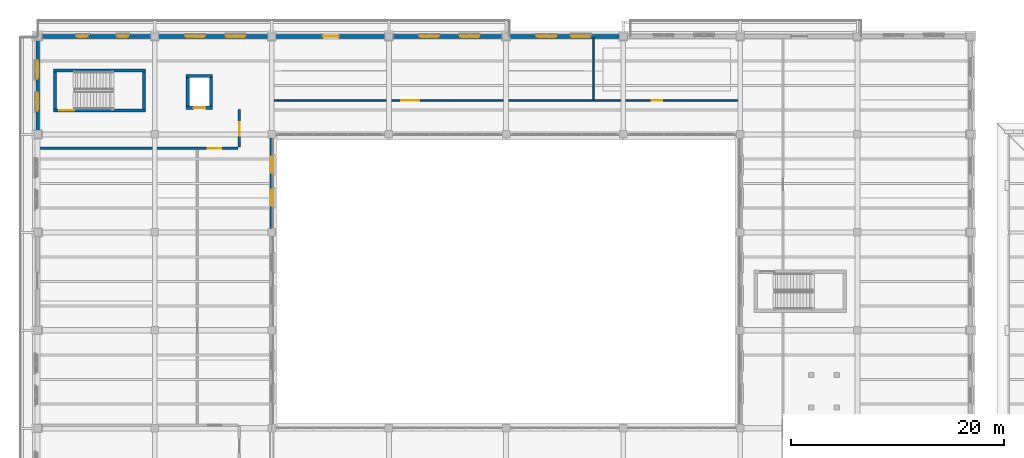
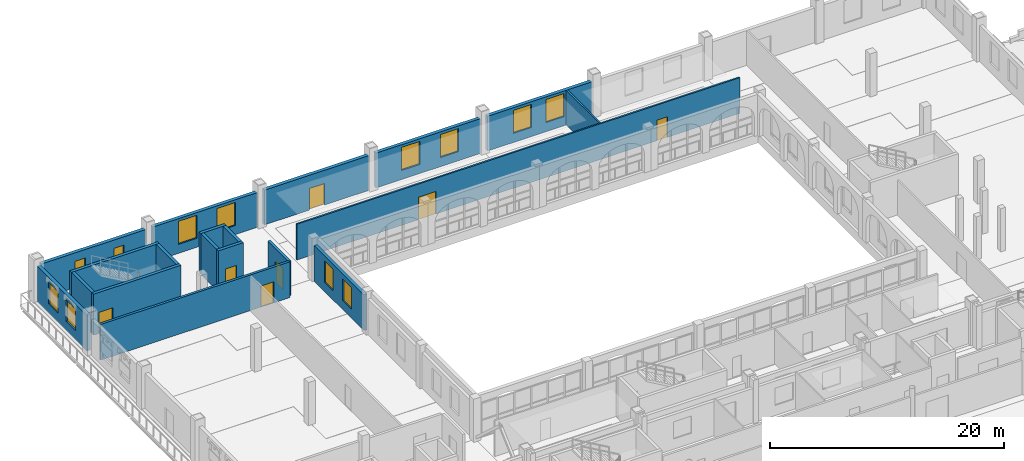
# One storey, part 124 of 156: 19 walls, 12 windows, 7 doors, 19 openings.
"""IFC4 building model written with IfcOpenShell, lengths in metres."""

from ifc_helpers import new_model, si_unit, direction, frame, frame_2d, origin, place, context, subcontext, project, spatial, rectangle, extrude, material, layer, layer_set, type_object, element, fill, save


model = new_model("IFC4")

# Units and contexts
model_context = context("Model", 3, precision=1e-05, world=origin(), true_north=direction((0.0, 1.0)))
body_context = subcontext(model_context, "Body", "Model", "MODEL_VIEW")
ifc_project = project(units=[si_unit("LENGTHUNIT", "METRE"), si_unit("AREAUNIT", "SQUARE_METRE"), si_unit("VOLUMEUNIT", "CUBIC_METRE"), si_unit("PLANEANGLEUNIT", "RADIAN"), si_unit("MASSUNIT", "GRAM", prefix="KILO")], contexts=[model_context])

# Site, building, storey
site_placement = place(None, origin())
site = spatial("IfcSite", under=ifc_project, at=site_placement, CompositionType="ELEMENT")
building_placement = place(site_placement, origin())
building = spatial("IfcBuilding", under=site, at=building_placement, Name="Caurita Quay Ferry Terminal", CompositionType="ELEMENT")
storey_placement = place(building_placement, frame((0.0, 0.0, 5.39990234375)))
storey = spatial("IfcBuildingStorey", under=building, at=storey_placement, Name="L01", CompositionType="ELEMENT", Elevation=5.39990234375)

# Wall, opening, door
ifc_material_1 = material(Name="Warm-white lime stucco masonry", Category="masonry")
ifc_layer_1 = layer(ifc_material_1, 0.239990234375, Name="Interior partitioning wall 240 mm")
ifc_layer_set_1 = layer_set([ifc_layer_1], Name="Warm-white lime stucco masonry")
wall_type_1 = type_object("IfcWallType", Name="WL-COMP-240", PredefinedType="PARTITIONING", material=ifc_layer_set_1)
wall_1_placement = place(storey_placement, frame((0.175048828125, 106.5, 0.0), z_axis=(0.0, 0.0, 1.0), x_axis=(1.0, 0.0, 0.0)))
wall_1 = element("IfcWall", 1, at=wall_1_placement, inside=storey, type_object=wall_type_1, Name="L01 Interior Partition IW-L01-060", PredefinedType="PARTITIONING", context=body_context, shape_type="SweptSolid", body=[
    extrude(rectangle(XDim=18.64990234375, YDim=0.239990234375, at=frame_2d((9.324951171875, 0.0))), origin(), (0.0, 0.0, 1.0), 3.72509765625),
])
opening_1_placement = place(wall_1_placement, frame((15.824951171875, 0.0, 0.0)))
opening_1 = element("IfcOpeningElement", 2, at=opening_1_placement, cuts=wall_1, Name="Opening FD-01", PredefinedType="OPENING", context=body_context, shape_type="SweptSolid", body=[
    extrude(rectangle(XDim=1.25, YDim=2.199951171875, at=frame_2d((0.625, 1.10009765625))), frame((0.0, 0.1298828125, 0.0), z_axis=(0.0, -1.0, 0.0), x_axis=(1.0, 0.0, 0.0)), (0.0, 0.0, 1.0), 0.260009765625),
])
ifc_material_2 = material(Name="Anodized aluminium 6063-T6", Category="aluminium")
door_type_1 = type_object("IfcDoorType", Name="DR-FF-1100", OperationType="NOTDEFINED", PredefinedType="DOOR", material=ifc_material_2)
door_1_placement = place(opening_1_placement, origin())
door_1 = element("IfcDoor", 3, at=door_1_placement, inside=storey, type_object=door_type_1, Name="Firefighting Lobby L01 North Door", OperationType="SINGLE_SWING_LEFT", OverallHeight=2.199951171875, OverallWidth=1.25, PredefinedType="DOOR", context=body_context, shape_type="SweptSolid", body=[
    extrude(rectangle(XDim=1.25, YDim=2.199951171875, at=frame_2d((0.625, 1.10009765625))), frame((0.0, 0.02490234375, 0.0), z_axis=(0.0, -1.0, 0.0), x_axis=(1.0, 0.0, 0.0)), (0.0, 0.0, 1.0), 0.050048828125),
])
fill(opening_1, door_1)

wall_2_placement = place(storey_placement, frame((18.949951171875, 106.625, 0.0), z_axis=(0.0, 0.0, 1.0), x_axis=(0.0, 1.0, 0.0)))
wall_2 = element("IfcWall", 4, at=wall_2_placement, inside=storey, type_object=wall_type_1, Name="L01 Interior Partition IW-L01-063", PredefinedType="PARTITIONING", context=body_context, shape_type="SweptSolid", body=[
    extrude(rectangle(XDim=3.52490234375, YDim=0.239990234375, at=frame_2d((1.762451171875, 0.0))), origin(), (0.0, 0.0, 1.0), 3.625),
])
opening_2_placement = place(wall_2_placement, frame((1.054931640625, 0.0, 0.0)))
opening_2 = element("IfcOpeningElement", 5, at=opening_2_placement, cuts=wall_2, Name="Opening FD-01", PredefinedType="OPENING", context=body_context, shape_type="SweptSolid", body=[
    extrude(rectangle(XDim=1.25, YDim=2.199951171875, at=frame_2d((0.625, 1.10009765625))), frame((0.0, 0.1298828125, 0.0), z_axis=(0.0, -1.0, 0.0), x_axis=(1.0, 0.0, 0.0)), (0.0, 0.0, 1.0), 0.260009765625),
])
door_2_placement = place(opening_2_placement, frame((1.25, 0.0, 0.0), z_axis=(0.0, 0.0, 1.0), x_axis=(-1.0, 0.0, 0.0)))
door_2 = element("IfcDoor", 6, at=door_2_placement, inside=storey, type_object=door_type_1, Name="Firefighting Lobby L01 North East Door", OperationType="SINGLE_SWING_RIGHT", OverallHeight=2.199951171875, OverallWidth=1.25, PredefinedType="DOOR", context=body_context, shape_type="SweptSolid", body=[
    extrude(rectangle(XDim=1.25, YDim=2.199951171875, at=frame_2d((0.625, 1.10009765625))), frame((0.0, 0.02490234375, 0.0), z_axis=(0.0, -1.0, 0.0), x_axis=(1.0, 0.0, 0.0)), (0.0, 0.0, 1.0), 0.050048828125),
])
fill(opening_2, door_2)

ifc_material_3 = material(Name="Reinforced concrete C35/45", Category="concrete")
ifc_layer_2 = layer(ifc_material_3, 0.300048828125, Name="Interior shear wall 300 mm")
ifc_layer_set_2 = layer_set([ifc_layer_2], Name="Reinforced concrete C35/45")
wall_type_2 = type_object("IfcWallType", Name="WL-CORE-300", PredefinedType="SHEAR", material=ifc_layer_set_2)
wall_3_placement = place(storey_placement, frame((1.5, 110.050048828125, 0.0), z_axis=(0.0, 0.0, 1.0), x_axis=(1.0, 0.0, 0.0)))
wall_3 = element("IfcWall", 7, at=wall_3_placement, inside=storey, type_object=wall_type_2, Name="L01 ST-01 Core Wall South", PredefinedType="SHEAR", context=body_context, shape_type="SweptSolid", body=[
    extrude(rectangle(XDim=8.64990234375, YDim=0.300048828125, at=frame_2d((4.324951171875, 0.0))), origin(), (0.0, 0.0, 1.0), 4.280029296875),
])
opening_3_placement = place(wall_3_placement, frame((0.550048828125, 0.0, 0.0)))
opening_3 = element("IfcOpeningElement", 8, at=opening_3_placement, cuts=wall_3, Name="Opening SD-01", PredefinedType="OPENING", context=body_context, shape_type="SweptSolid", body=[
    extrude(rectangle(XDim=1.35009765625, YDim=2.199951171875, at=frame_2d((0.675048828125, 1.10009765625))), frame((0.0, 0.159912109375, 0.0), z_axis=(0.0, -1.0, 0.0), x_axis=(1.0, 0.0, 0.0)), (0.0, 0.0, 1.0), 0.320068359375),
])
door_type_2 = type_object("IfcDoorType", Name="DR-ST-1200", OperationType="NOTDEFINED", PredefinedType="DOOR", material=ifc_material_2)
door_3_placement = place(opening_3_placement, origin())
door_3 = element("IfcDoor", 9, at=door_3_placement, inside=storey, type_object=door_type_2, Name="L01 Exit Stair ST-01 Fire Door", OperationType="SINGLE_SWING_RIGHT", OverallHeight=2.199951171875, OverallWidth=1.35009765625, PredefinedType="DOOR", context=body_context, shape_type="SweptSolid", body=[
    extrude(rectangle(XDim=1.35009765625, YDim=2.199951171875, at=frame_2d((0.675048828125, 1.10009765625))), frame((0.0, 0.02490234375, 0.0), z_axis=(0.0, -1.0, 0.0), x_axis=(1.0, 0.0, 0.0)), (0.0, 0.0, 1.0), 0.050048828125),
])
fill(opening_3, door_3)

# Walls
wall_4_placement = place(storey_placement, frame((10.14990234375, 113.81005859375, 0.0), z_axis=(0.0, 0.0, 1.0), x_axis=(-1.0, 0.0, 0.0)))
element("IfcWall", 10, at=wall_4_placement, inside=storey, type_object=wall_type_2, Name="L01 ST-01 Core Wall North", PredefinedType="SHEAR", context=body_context, shape_type="SweptSolid", body=[
    extrude(rectangle(XDim=8.64990234375, YDim=0.300048828125, at=frame_2d((4.324951171875, 0.0))), origin(), (0.0, 0.0, 1.0), 4.280029296875),
])
for number, where, z_axis, x_axis, name in (
    (11, (1.64990234375, 113.659912109375, 0.0), (0.0, 0.0, 1.0), (0.0, -1.0, 0.0), "L01 ST-01 Core Wall West"),
    (12, (10.0, 110.199951171875, 0.0), (0.0, 0.0, 1.0), (0.0, 1.0, 0.0), "L01 ST-01 Core Wall East"),
):
    element("IfcWall", number, at=place(storey_placement, frame(where, z_axis=z_axis, x_axis=x_axis)), inside=storey, type_object=wall_type_2, Name=name, PredefinedType="SHEAR", context=body_context, shape_type="SweptSolid", body=[
        extrude(rectangle(XDim=3.4599609375, YDim=0.300048828125, at=frame_2d((1.72998046875, 0.0))), origin(), (0.0, 0.0, 1.0), 4.280029296875),
    ])

# Wall, opening, door
wall_5_placement = place(storey_placement, frame((13.955078125, 110.304931640625, 0.0), z_axis=(0.0, 0.0, 1.0), x_axis=(1.0, 0.0, 0.0)))
wall_5 = element("IfcWall", 13, at=wall_5_placement, inside=storey, type_object=wall_type_2, Name="L01 Lift LF-01 Shaft Wall South", PredefinedType="SHEAR", context=body_context, shape_type="SweptSolid", body=[
    extrude(rectangle(XDim=2.489990234375, YDim=0.300048828125, at=frame_2d((1.2451171875, 0.0))), origin(), (0.0, 0.0, 1.0), 4.280029296875),
])
opening_4_placement = place(wall_5_placement, frame((0.695068359375, 0.0, 0.0)))
opening_4 = element("IfcOpeningElement", 14, at=opening_4_placement, cuts=wall_5, Name="Opening LD-01", PredefinedType="OPENING", context=body_context, shape_type="SweptSolid", body=[
    extrude(rectangle(XDim=1.10009765625, YDim=2.14990234375, at=frame_2d((0.550048828125, 1.074951171875))), frame((0.0, 0.159912109375, 0.0), z_axis=(0.0, -1.0, 0.0), x_axis=(1.0, 0.0, 0.0)), (0.0, 0.0, 1.0), 0.320068359375),
])
ifc_material_4 = material(Name="Bronze architectural metalwork", Category="metal")
door_type_3 = type_object("IfcDoorType", Name="DR-LD-01", OperationType="DOUBLE_DOOR_SLIDING", PredefinedType="DOOR", material=ifc_material_4)
door_4_placement = place(opening_4_placement, frame((1.10009765625, 0.0, 0.0), z_axis=(0.0, 0.0, 1.0), x_axis=(-1.0, 0.0, 0.0)))
door_4 = element("IfcDoor", 15, at=door_4_placement, inside=storey, type_object=door_type_3, Name="L01 Lift LF-01 Sliding Landing Door", OperationType="DOUBLE_DOOR_SLIDING", OverallHeight=2.14990234375, OverallWidth=1.10009765625, PredefinedType="DOOR", context=body_context, shape_type="SweptSolid", body=[
    extrude(rectangle(XDim=1.10009765625, YDim=2.14990234375, at=frame_2d((0.550048828125, 1.074951171875))), frame((0.0, 0.02490234375, 0.0), z_axis=(0.0, -1.0, 0.0), x_axis=(1.0, 0.0, 0.0)), (0.0, 0.0, 1.0), 0.050048828125),
])
fill(opening_4, door_4)

# Walls
wall_6_placement = place(storey_placement, frame((16.445068359375, 113.294921875, 0.0), z_axis=(0.0, 0.0, 1.0), x_axis=(-1.0, 0.0, 0.0)))
element("IfcWall", 16, at=wall_6_placement, inside=storey, type_object=wall_type_2, Name="L01 Lift LF-01 Shaft Wall North", PredefinedType="SHEAR", context=body_context, shape_type="SweptSolid", body=[
    extrude(rectangle(XDim=2.489990234375, YDim=0.300048828125, at=frame_2d((1.2451171875, 0.0))), origin(), (0.0, 0.0, 1.0), 4.280029296875),
])
for number, where, z_axis, x_axis, name in (
    (17, (14.10498046875, 113.14501953125, 0.0), (0.0, 0.0, 1.0), (0.0, -1.0, 0.0), "L01 Lift LF-01 Shaft Wall West"),
    (18, (16.294921875, 110.455078125, 0.0), (0.0, 0.0, 1.0), (0.0, 1.0, 0.0), "L01 Lift LF-01 Shaft Wall East"),
):
    element("IfcWall", number, at=place(storey_placement, frame(where, z_axis=z_axis, x_axis=x_axis)), inside=storey, type_object=wall_type_2, Name=name, PredefinedType="SHEAR", context=body_context, shape_type="SweptSolid", body=[
        extrude(rectangle(XDim=2.68994140625, YDim=0.300048828125, at=frame_2d((1.344970703125, 0.0))), origin(), (0.0, 0.0, 1.0), 4.280029296875),
    ])

# Wall, openings, windows
ifc_layer_3 = layer(ifc_material_1, 0.31005859375, Name="Exterior solidwall wall 310 mm")
ifc_layer_set_3 = layer_set([ifc_layer_3], Name="Warm-white lime stucco masonry")
wall_type_3 = type_object("IfcWallType", Name="WL-EXT-310", PredefinedType="SOLIDWALL", material=ifc_layer_set_3)
wall_7_placement = place(storey_placement, frame((22.0, 98.947998046875, 0.0), z_axis=(0.0, 0.0, 1.0), x_axis=(0.0, 1.0, 0.0)))
wall_7 = element("IfcWall", 19, at=wall_7_placement, inside=storey, type_object=wall_type_3, Name="L01 Exterior Wall EW-L01-130", PredefinedType="SOLIDWALL", context=body_context, shape_type="SweptSolid", body=[
    extrude(rectangle(XDim=8.50390625, YDim=0.31005859375, at=frame_2d((4.251953125, 0.0))), origin(), (0.0, 0.0, 1.0), 3.72509765625),
])
opening_5_placement = place(wall_7_placement, frame((2.152099609375, 0.0, 0.949951171875)))
opening_5 = element("IfcOpeningElement", 20, at=opening_5_placement, cuts=wall_7, Name="Opening W-07", PredefinedType="OPENING", context=body_context, shape_type="SweptSolid", body=[
    extrude(rectangle(XDim=1.5, YDim=2.25, at=frame_2d((0.75, 1.125))), frame((0.0, 0.1650390625, 0.0), z_axis=(0.0, -1.0, 0.0), x_axis=(1.0, 0.0, 0.0)), (0.0, 0.0, 1.0), 0.330078125),
])
opening_6_placement = place(wall_7_placement, frame((5.251953125, 0.0, 0.949951171875)))
opening_6 = element("IfcOpeningElement", 21, at=opening_6_placement, cuts=wall_7, Name="Opening W-07", PredefinedType="OPENING", context=body_context, shape_type="SweptSolid", body=[
    extrude(rectangle(XDim=1.5, YDim=2.25, at=frame_2d((0.75, 1.125))), frame((0.0, 0.1650390625, 0.0), z_axis=(0.0, -1.0, 0.0), x_axis=(1.0, 0.0, 0.0)), (0.0, 0.0, 1.0), 0.330078125),
])
ifc_material_5 = material(Name="Laminated solar-control insulated glass", Category="glass")
window_type_1 = type_object("IfcWindowType", Name="WIN-SC-1522", PartitioningType="SINGLE_PANEL", PredefinedType="WINDOW", material=ifc_material_5)
window_1_placement = place(opening_5_placement, origin())
window_1 = element("IfcWindow", 22, at=window_1_placement, inside=storey, type_object=window_type_1, Name="L01 Casement Window WN-L01-199", OverallHeight=2.25, OverallWidth=1.5, PartitioningType="SINGLE_PANEL", PredefinedType="WINDOW", context=body_context, shape_type="SweptSolid", body=[
    extrude(rectangle(XDim=1.5, YDim=2.25, at=frame_2d((0.75, 1.125))), frame((0.0, 0.030029296875, 0.0), z_axis=(0.0, -1.0, 0.0), x_axis=(1.0, 0.0, 0.0)), (0.0, 0.0, 1.0), 0.06005859375),
])
fill(opening_5, window_1)
window_2_placement = place(opening_6_placement, origin())
window_2 = element("IfcWindow", 23, at=window_2_placement, inside=storey, type_object=window_type_1, Name="L01 Casement Window WN-L01-200", OverallHeight=2.25, OverallWidth=1.5, PartitioningType="SINGLE_PANEL", PredefinedType="WINDOW", context=body_context, shape_type="SweptSolid", body=[
    extrude(rectangle(XDim=1.5, YDim=2.25, at=frame_2d((0.75, 1.125))), frame((0.0, 0.030029296875, 0.0), z_axis=(0.0, -1.0, 0.0), x_axis=(1.0, 0.0, 0.0)), (0.0, 0.0, 1.0), 0.06005859375),
])
fill(opening_6, window_2)

ifc_layer_4 = layer(ifc_material_1, 0.340087890625, Name="Exterior solidwall wall 340 mm")
ifc_layer_set_4 = layer_set([ifc_layer_4], Name="Warm-white lime stucco masonry")
wall_type_4 = type_object("IfcWallType", Name="WL-EXT-340", PredefinedType="SOLIDWALL", material=ifc_layer_set_4)
wall_8_placement = place(storey_placement, frame((10.652099609375, 117.0, 0.0), z_axis=(0.0, 0.0, 1.0), x_axis=(-1.0, 0.0, 0.0)))
wall_8 = element("IfcWall", 24, at=wall_8_placement, inside=storey, type_object=wall_type_4, Name="L01 Exterior Wall EW-L01-009", PredefinedType="SOLIDWALL", context=body_context, shape_type="SweptSolid", body=[
    extrude(rectangle(XDim=10.30419921875, YDim=0.340087890625, at=frame_2d((5.152099609375, 0.0))), origin(), (0.0, 0.0, 1.0), 3.625),
])
opening_7_placement = place(wall_8_placement, frame((2.152099609375, 0.0, 0.949951171875)))
opening_7 = element("IfcOpeningElement", 25, at=opening_7_placement, cuts=wall_8, Name="Opening W-02", PredefinedType="OPENING", context=body_context, shape_type="SweptSolid", body=[
    extrude(rectangle(XDim=1.0, YDim=1.800048828125, at=frame_2d((0.5, 0.89990234375))), frame((0.0, 0.179931640625, 0.0), z_axis=(0.0, -1.0, 0.0), x_axis=(1.0, 0.0, 0.0)), (0.0, 0.0, 1.0), 0.360107421875),
])
opening_8_placement = place(wall_8_placement, frame((5.951904296875, 0.0, 0.949951171875)))
opening_8 = element("IfcOpeningElement", 26, at=opening_8_placement, cuts=wall_8, Name="Opening W-02", PredefinedType="OPENING", context=body_context, shape_type="SweptSolid", body=[
    extrude(rectangle(XDim=1.0, YDim=1.800048828125, at=frame_2d((0.5, 0.89990234375))), frame((0.0, 0.179931640625, 0.0), z_axis=(0.0, -1.0, 0.0), x_axis=(1.0, 0.0, 0.0)), (0.0, 0.0, 1.0), 0.360107421875),
])
window_type_2 = type_object("IfcWindowType", Name="WIN-SC-1018", PartitioningType="SINGLE_PANEL", PredefinedType="WINDOW", material=ifc_material_5)
window_3_placement = place(opening_7_placement, origin())
window_3 = element("IfcWindow", 27, at=window_3_placement, inside=storey, type_object=window_type_2, Name="L01 Casement Window WN-L01-009", OverallHeight=1.800048828125, OverallWidth=1.0, PartitioningType="SINGLE_PANEL", PredefinedType="WINDOW", context=body_context, shape_type="SweptSolid", body=[
    extrude(rectangle(XDim=1.0, YDim=1.800048828125, at=frame_2d((0.5, 0.89990234375))), frame((0.0, 0.030029296875, 0.0), z_axis=(0.0, -1.0, 0.0), x_axis=(1.0, 0.0, 0.0)), (0.0, 0.0, 1.0), 0.06005859375),
])
fill(opening_7, window_3)
window_4_placement = place(opening_8_placement, origin())
window_4 = element("IfcWindow", 28, at=window_4_placement, inside=storey, type_object=window_type_2, Name="L01 Casement Window WN-L01-010", OverallHeight=1.800048828125, OverallWidth=1.0, PartitioningType="SINGLE_PANEL", PredefinedType="WINDOW", context=body_context, shape_type="SweptSolid", body=[
    extrude(rectangle(XDim=1.0, YDim=1.800048828125, at=frame_2d((0.5, 0.89990234375))), frame((0.0, 0.030029296875, 0.0), z_axis=(0.0, -1.0, 0.0), x_axis=(1.0, 0.0, 0.0)), (0.0, 0.0, 1.0), 0.06005859375),
])
fill(opening_8, window_4)

wall_9_placement = place(storey_placement, frame((21.652099609375, 117.0, 0.0), z_axis=(0.0, 0.0, 1.0), x_axis=(-1.0, 0.0, 0.0)))
wall_9 = element("IfcWall", 29, at=wall_9_placement, inside=storey, type_object=wall_type_4, Name="L01 Exterior Wall EW-L01-010", PredefinedType="SOLIDWALL", context=body_context, shape_type="SweptSolid", body=[
    extrude(rectangle(XDim=10.30419921875, YDim=0.340087890625, at=frame_2d((5.152099609375, 0.0))), origin(), (0.0, 0.0, 1.0), 3.625),
])
opening_9_placement = place(wall_9_placement, frame((2.152099609375, 0.0, 0.949951171875)))
opening_9 = element("IfcOpeningElement", 30, at=opening_9_placement, cuts=wall_9, Name="Opening W-10", PredefinedType="OPENING", context=body_context, shape_type="SweptSolid", body=[
    extrude(rectangle(XDim=1.800048828125, YDim=2.39990234375, at=frame_2d((0.89990234375, 1.199951171875))), frame((0.0, 0.179931640625, 0.0), z_axis=(0.0, -1.0, 0.0), x_axis=(1.0, 0.0, 0.0)), (0.0, 0.0, 1.0), 0.360107421875),
])
opening_10_placement = place(wall_9_placement, frame((5.951904296875, 0.0, 0.949951171875)))
opening_10 = element("IfcOpeningElement", 31, at=opening_10_placement, cuts=wall_9, Name="Opening W-10", PredefinedType="OPENING", context=body_context, shape_type="SweptSolid", body=[
    extrude(rectangle(XDim=1.800048828125, YDim=2.39990234375, at=frame_2d((0.89990234375, 1.199951171875))), frame((0.0, 0.179931640625, 0.0), z_axis=(0.0, -1.0, 0.0), x_axis=(1.0, 0.0, 0.0)), (0.0, 0.0, 1.0), 0.360107421875),
])
window_type_3 = type_object("IfcWindowType", Name="WIN-SC-1824", PartitioningType="SINGLE_PANEL", PredefinedType="WINDOW", material=ifc_material_5)
window_5_placement = place(opening_9_placement, origin())
window_5 = element("IfcWindow", 32, at=window_5_placement, inside=storey, type_object=window_type_3, Name="L01 Casement Window WN-L01-011", OverallHeight=2.39990234375, OverallWidth=1.800048828125, PartitioningType="SINGLE_PANEL", PredefinedType="WINDOW", context=body_context, shape_type="SweptSolid", body=[
    extrude(rectangle(XDim=1.800048828125, YDim=2.39990234375, at=frame_2d((0.89990234375, 1.199951171875))), frame((0.0, 0.030029296875, 0.0), z_axis=(0.0, -1.0, 0.0), x_axis=(1.0, 0.0, 0.0)), (0.0, 0.0, 1.0), 0.06005859375),
])
fill(opening_9, window_5)
window_6_placement = place(opening_10_placement, origin())
window_6 = element("IfcWindow", 33, at=window_6_placement, inside=storey, type_object=window_type_3, Name="L01 Casement Window WN-L01-012", OverallHeight=2.39990234375, OverallWidth=1.800048828125, PartitioningType="SINGLE_PANEL", PredefinedType="WINDOW", context=body_context, shape_type="SweptSolid", body=[
    extrude(rectangle(XDim=1.800048828125, YDim=2.39990234375, at=frame_2d((0.89990234375, 1.199951171875))), frame((0.0, 0.030029296875, 0.0), z_axis=(0.0, -1.0, 0.0), x_axis=(1.0, 0.0, 0.0)), (0.0, 0.0, 1.0), 0.06005859375),
])
fill(opening_10, window_6)

# Wall, opening, door
wall_10_placement = place(storey_placement, frame((32.652099609375, 117.0, 0.0), z_axis=(0.0, 0.0, 1.0), x_axis=(-1.0, 0.0, 0.0)))
wall_10 = element("IfcWall", 34, at=wall_10_placement, inside=storey, type_object=wall_type_4, Name="L01 Exterior Wall EW-L01-011", PredefinedType="SOLIDWALL", context=body_context, shape_type="SweptSolid", body=[
    extrude(rectangle(XDim=10.30419921875, YDim=0.340087890625, at=frame_2d((5.152099609375, 0.0))), origin(), (0.0, 0.0, 1.0), 3.625),
])
opening_11_placement = place(wall_10_placement, frame((4.35205078125, 0.0, 0.0)))
opening_11 = element("IfcOpeningElement", 35, at=opening_11_placement, cuts=wall_10, Name="Opening TD-02", PredefinedType="OPENING", context=body_context, shape_type="SweptSolid", body=[
    extrude(rectangle(XDim=1.5, YDim=2.25, at=frame_2d((0.75, 1.125))), frame((0.0, 0.179931640625, 0.0), z_axis=(0.0, -1.0, 0.0), x_axis=(1.0, 0.0, 0.0)), (0.0, 0.0, 1.0), 0.360107421875),
])
door_type_4 = type_object("IfcDoorType", Name="DR-TER-1522", OperationType="NOTDEFINED", PredefinedType="DOOR", material=ifc_material_2)
door_5_placement = place(opening_11_placement, frame((1.5, 0.0, 0.0), z_axis=(0.0, 0.0, 1.0), x_axis=(-1.0, 0.0, 0.0)))
door_5 = element("IfcDoor", 36, at=door_5_placement, inside=storey, type_object=door_type_4, Name="L01 North Portales Balcony Door TD-BN2", OperationType="SINGLE_SWING_LEFT", OverallHeight=2.25, OverallWidth=1.5, PredefinedType="DOOR", context=body_context, shape_type="SweptSolid", body=[
    extrude(rectangle(XDim=1.5, YDim=2.25, at=frame_2d((0.75, 1.125))), frame((0.0, 0.02490234375, 0.0), z_axis=(0.0, -1.0, 0.0), x_axis=(1.0, 0.0, 0.0)), (0.0, 0.0, 1.0), 0.050048828125),
])
fill(opening_11, door_5)

# Wall, openings, windows
wall_11_placement = place(storey_placement, frame((43.652099609375, 117.0, 0.0), z_axis=(0.0, 0.0, 1.0), x_axis=(-1.0, 0.0, 0.0)))
wall_11 = element("IfcWall", 37, at=wall_11_placement, inside=storey, type_object=wall_type_4, Name="L01 Exterior Wall EW-L01-012", PredefinedType="SOLIDWALL", context=body_context, shape_type="SweptSolid", body=[
    extrude(rectangle(XDim=10.30419921875, YDim=0.340087890625, at=frame_2d((5.152099609375, 0.0))), origin(), (0.0, 0.0, 1.0), 3.625),
])
opening_12_placement = place(wall_11_placement, frame((2.152099609375, 0.0, 0.949951171875)))
opening_12 = element("IfcOpeningElement", 38, at=opening_12_placement, cuts=wall_11, Name="Opening W-10", PredefinedType="OPENING", context=body_context, shape_type="SweptSolid", body=[
    extrude(rectangle(XDim=1.800048828125, YDim=2.39990234375, at=frame_2d((0.89990234375, 1.199951171875))), frame((0.0, 0.179931640625, 0.0), z_axis=(0.0, -1.0, 0.0), x_axis=(1.0, 0.0, 0.0)), (0.0, 0.0, 1.0), 0.360107421875),
])
opening_13_placement = place(wall_11_placement, frame((5.951904296875, 0.0, 0.949951171875)))
opening_13 = element("IfcOpeningElement", 39, at=opening_13_placement, cuts=wall_11, Name="Opening W-10", PredefinedType="OPENING", context=body_context, shape_type="SweptSolid", body=[
    extrude(rectangle(XDim=1.800048828125, YDim=2.39990234375, at=frame_2d((0.89990234375, 1.199951171875))), frame((0.0, 0.179931640625, 0.0), z_axis=(0.0, -1.0, 0.0), x_axis=(1.0, 0.0, 0.0)), (0.0, 0.0, 1.0), 0.360107421875),
])
window_7_placement = place(opening_12_placement, origin())
window_7 = element("IfcWindow", 40, at=window_7_placement, inside=storey, type_object=window_type_3, Name="L01 Casement Window WN-L01-013", OverallHeight=2.39990234375, OverallWidth=1.800048828125, PartitioningType="SINGLE_PANEL", PredefinedType="WINDOW", context=body_context, shape_type="SweptSolid", body=[
    extrude(rectangle(XDim=1.800048828125, YDim=2.39990234375, at=frame_2d((0.89990234375, 1.199951171875))), frame((0.0, 0.030029296875, 0.0), z_axis=(0.0, -1.0, 0.0), x_axis=(1.0, 0.0, 0.0)), (0.0, 0.0, 1.0), 0.06005859375),
])
fill(opening_12, window_7)
window_8_placement = place(opening_13_placement, origin())
window_8 = element("IfcWindow", 41, at=window_8_placement, inside=storey, type_object=window_type_3, Name="L01 Casement Window WN-L01-014", OverallHeight=2.39990234375, OverallWidth=1.800048828125, PartitioningType="SINGLE_PANEL", PredefinedType="WINDOW", context=body_context, shape_type="SweptSolid", body=[
    extrude(rectangle(XDim=1.800048828125, YDim=2.39990234375, at=frame_2d((0.89990234375, 1.199951171875))), frame((0.0, 0.030029296875, 0.0), z_axis=(0.0, -1.0, 0.0), x_axis=(1.0, 0.0, 0.0)), (0.0, 0.0, 1.0), 0.06005859375),
])
fill(opening_13, window_8)

wall_12_placement = place(storey_placement, frame((54.652099609375, 117.0, 0.0), z_axis=(0.0, 0.0, 1.0), x_axis=(-1.0, 0.0, 0.0)))
wall_12 = element("IfcWall", 42, at=wall_12_placement, inside=storey, type_object=wall_type_4, Name="L01 Exterior Wall EW-L01-013", PredefinedType="SOLIDWALL", context=body_context, shape_type="SweptSolid", body=[
    extrude(rectangle(XDim=10.30419921875, YDim=0.340087890625, at=frame_2d((5.152099609375, 0.0))), origin(), (0.0, 0.0, 1.0), 3.625),
])
opening_14_placement = place(wall_12_placement, frame((2.73193359375, 0.0, 0.949951171875)))
opening_14 = element("IfcOpeningElement", 43, at=opening_14_placement, cuts=wall_12, Name="Opening W-10", PredefinedType="OPENING", context=body_context, shape_type="SweptSolid", body=[
    extrude(rectangle(XDim=1.800048828125, YDim=2.39990234375, at=frame_2d((0.89990234375, 1.199951171875))), frame((0.0, 0.179931640625, 0.0), z_axis=(0.0, -1.0, 0.0), x_axis=(1.0, 0.0, 0.0)), (0.0, 0.0, 1.0), 0.360107421875),
])
opening_15_placement = place(wall_12_placement, frame((5.951904296875, 0.0, 0.949951171875)))
opening_15 = element("IfcOpeningElement", 44, at=opening_15_placement, cuts=wall_12, Name="Opening W-10", PredefinedType="OPENING", context=body_context, shape_type="SweptSolid", body=[
    extrude(rectangle(XDim=1.800048828125, YDim=2.39990234375, at=frame_2d((0.89990234375, 1.199951171875))), frame((0.0, 0.179931640625, 0.0), z_axis=(0.0, -1.0, 0.0), x_axis=(1.0, 0.0, 0.0)), (0.0, 0.0, 1.0), 0.360107421875),
])
window_9_placement = place(opening_14_placement, origin())
window_9 = element("IfcWindow", 45, at=window_9_placement, inside=storey, type_object=window_type_3, Name="L01 Casement Window WN-L01-015", OverallHeight=2.39990234375, OverallWidth=1.800048828125, PartitioningType="SINGLE_PANEL", PredefinedType="WINDOW", context=body_context, shape_type="SweptSolid", body=[
    extrude(rectangle(XDim=1.800048828125, YDim=2.39990234375, at=frame_2d((0.89990234375, 1.199951171875))), frame((0.0, 0.030029296875, 0.0), z_axis=(0.0, -1.0, 0.0), x_axis=(1.0, 0.0, 0.0)), (0.0, 0.0, 1.0), 0.06005859375),
])
fill(opening_14, window_9)
window_10_placement = place(opening_15_placement, origin())
window_10 = element("IfcWindow", 46, at=window_10_placement, inside=storey, type_object=window_type_3, Name="L01 Casement Window WN-L01-016", OverallHeight=2.39990234375, OverallWidth=1.800048828125, PartitioningType="SINGLE_PANEL", PredefinedType="WINDOW", context=body_context, shape_type="SweptSolid", body=[
    extrude(rectangle(XDim=1.800048828125, YDim=2.39990234375, at=frame_2d((0.89990234375, 1.199951171875))), frame((0.0, 0.030029296875, 0.0), z_axis=(0.0, -1.0, 0.0), x_axis=(1.0, 0.0, 0.0)), (0.0, 0.0, 1.0), 0.06005859375),
])
fill(opening_15, window_10)

wall_13_placement = place(storey_placement, frame((0.0, 116.652099609375, 0.0), z_axis=(0.0, 0.0, 1.0), x_axis=(0.0, -1.0, 0.0)))
wall_13 = element("IfcWall", 47, at=wall_13_placement, inside=storey, type_object=wall_type_4, Name="L01 Exterior Wall EW-L01-041", PredefinedType="SOLIDWALL", context=body_context, shape_type="SweptSolid", body=[
    extrude(rectangle(XDim=8.504150390625, YDim=0.340087890625, at=frame_2d((4.251953125, 0.0))), origin(), (0.0, 0.0, 1.0), 3.72509765625),
])
opening_16_placement = place(wall_13_placement, frame((1.951904296875, 0.0, 0.949951171875)))
opening_16 = element("IfcOpeningElement", 48, at=opening_16_placement, cuts=wall_13, Name="Opening W-08", PredefinedType="OPENING", context=body_context, shape_type="SweptSolid", body=[
    extrude(rectangle(XDim=1.64990234375, YDim=2.25, at=frame_2d((0.824951171875, 1.125))), frame((0.0, 0.179931640625, 0.0), z_axis=(0.0, -1.0, 0.0), x_axis=(1.0, 0.0, 0.0)), (0.0, 0.0, 1.0), 0.360107421875),
])
opening_17_placement = place(wall_13_placement, frame((4.951904296875, 0.0, 0.949951171875)))
opening_17 = element("IfcOpeningElement", 49, at=opening_17_placement, cuts=wall_13, Name="Opening W-08", PredefinedType="OPENING", context=body_context, shape_type="SweptSolid", body=[
    extrude(rectangle(XDim=1.64990234375, YDim=2.25, at=frame_2d((0.824951171875, 1.125))), frame((0.0, 0.179931640625, 0.0), z_axis=(0.0, -1.0, 0.0), x_axis=(1.0, 0.0, 0.0)), (0.0, 0.0, 1.0), 0.360107421875),
])
window_type_4 = type_object("IfcWindowType", Name="WIN-SC-16522", PartitioningType="SINGLE_PANEL", PredefinedType="WINDOW", material=ifc_material_5)
window_11_placement = place(opening_16_placement, origin())
window_11 = element("IfcWindow", 50, at=window_11_placement, inside=storey, type_object=window_type_4, Name="L01 Casement Window WN-L01-059", OverallHeight=2.25, OverallWidth=1.64990234375, PartitioningType="SINGLE_PANEL", PredefinedType="WINDOW", context=body_context, shape_type="SweptSolid", body=[
    extrude(rectangle(XDim=1.64990234375, YDim=2.25, at=frame_2d((0.824951171875, 1.125))), frame((0.0, 0.030029296875, 0.0), z_axis=(0.0, -1.0, 0.0), x_axis=(1.0, 0.0, 0.0)), (0.0, 0.0, 1.0), 0.06005859375),
])
fill(opening_16, window_11)
window_12_placement = place(opening_17_placement, origin())
window_12 = element("IfcWindow", 51, at=window_12_placement, inside=storey, type_object=window_type_4, Name="L01 Casement Window WN-L01-060", OverallHeight=2.25, OverallWidth=1.64990234375, PartitioningType="SINGLE_PANEL", PredefinedType="WINDOW", context=body_context, shape_type="SweptSolid", body=[
    extrude(rectangle(XDim=1.64990234375, YDim=2.25, at=frame_2d((0.824951171875, 1.125))), frame((0.0, 0.030029296875, 0.0), z_axis=(0.0, -1.0, 0.0), x_axis=(1.0, 0.0, 0.0)), (0.0, 0.0, 1.0), 0.06005859375),
])
fill(opening_17, window_12)

# Wall, openings, doors
ifc_material_6 = material(Name="Gypsum board partition", Category="masonry")
ifc_layer_5 = layer(ifc_material_6, 0.159912109375, Name="Interior partitioning wall 160 mm")
ifc_layer_set_5 = layer_set([ifc_layer_5], Name="Gypsum board partition")
wall_type_5 = type_object("IfcWallType", Name="WL-PART-160", PredefinedType="PARTITIONING", material=ifc_layer_set_5)
wall_14_placement = place(storey_placement, frame((22.159912109375, 111.0, 0.0), z_axis=(0.0, 0.0, 1.0), x_axis=(1.0, 0.0, 0.0)))
wall_14 = element("IfcWall", 52, at=wall_14_placement, inside=storey, type_object=wall_type_5, Name="L01 Interior Partition IW-L01-065", PredefinedType="PARTITIONING", context=body_context, shape_type="SweptSolid", body=[
    extrude(rectangle(XDim=43.68017578125, YDim=0.159912109375, at=frame_2d((21.840087890625, 0.0))), origin(), (0.0, 0.0, 1.0), 3.72509765625),
])
opening_18_placement = place(wall_14_placement, frame((12.0, 0.0, 0.0)))
opening_18 = element("IfcOpeningElement", 53, at=opening_18_placement, cuts=wall_14, Name="Opening ID-03", PredefinedType="OPENING", context=body_context, shape_type="SweptSolid", body=[
    extrude(rectangle(XDim=1.699951171875, YDim=2.35009765625, at=frame_2d((0.85009765625, 1.175048828125))), frame((0.0, 0.08984375, 0.0), z_axis=(0.0, -1.0, 0.0), x_axis=(1.0, 0.0, 0.0)), (0.0, 0.0, 1.0), 0.179931640625),
])
opening_19_placement = place(wall_14_placement, frame((35.5, 0.0, 0.0)))
opening_19 = element("IfcOpeningElement", 54, at=opening_19_placement, cuts=wall_14, Name="Opening ID-08", PredefinedType="OPENING", context=body_context, shape_type="SweptSolid", body=[
    extrude(rectangle(XDim=1.02001953125, YDim=2.14990234375, at=frame_2d((0.510009765625, 1.074951171875))), frame((0.0, 0.08984375, 0.0), z_axis=(0.0, -1.0, 0.0), x_axis=(1.0, 0.0, 0.0)), (0.0, 0.0, 1.0), 0.179931640625),
])
ifc_material_7 = material(Name="Tropical mahogany hardwood", Category="wood")
door_type_5 = type_object("IfcDoorType", Name="DR-AWC-1020", OperationType="NOTDEFINED", PredefinedType="DOOR", material=ifc_material_7)
door_6_placement = place(opening_19_placement, origin())
door_6 = element("IfcDoor", 55, at=door_6_placement, inside=storey, type_object=door_type_5, Name="Port Medical First Aid Clinic Door", OperationType="SINGLE_SWING_LEFT", OverallHeight=2.14990234375, OverallWidth=1.02001953125, PredefinedType="DOOR", context=body_context, shape_type="SweptSolid", body=[
    extrude(rectangle(XDim=1.02001953125, YDim=2.14990234375, at=frame_2d((0.510009765625, 1.074951171875))), frame((0.0, 0.02490234375, 0.0), z_axis=(0.0, -1.0, 0.0), x_axis=(1.0, 0.0, 0.0)), (0.0, 0.0, 1.0), 0.050048828125),
])
fill(opening_19, door_6)
door_type_6 = type_object("IfcDoorType", Name="DR-CONC-1700", OperationType="NOTDEFINED", PredefinedType="DOOR", material=ifc_material_7)
door_7_placement = place(opening_18_placement, frame((1.699951171875, 0.0, 0.0), z_axis=(0.0, 0.0, 1.0), x_axis=(-1.0, 0.0, 0.0)))
door_7 = element("IfcDoor", 56, at=door_7_placement, inside=storey, type_object=door_type_6, Name="Ferry Operator Concessions Door", OperationType="SINGLE_SWING_RIGHT", OverallHeight=2.35009765625, OverallWidth=1.699951171875, PredefinedType="DOOR", context=body_context, shape_type="SweptSolid", body=[
    extrude(rectangle(XDim=1.699951171875, YDim=2.35009765625, at=frame_2d((0.85009765625, 1.175048828125))), frame((0.0, 0.02490234375, 0.0), z_axis=(0.0, -1.0, 0.0), x_axis=(1.0, 0.0, 0.0)), (0.0, 0.0, 1.0), 0.050048828125),
])
fill(opening_18, door_7)

# Wall
wall_15_placement = place(storey_placement, frame((52.199951171875, 111.0849609375, 0.0), z_axis=(0.0, 0.0, 1.0), x_axis=(0.0, 1.0, 0.0)))
element("IfcWall", 57, at=wall_15_placement, inside=storey, type_object=wall_type_5, Name="L01 Interior Partition IW-L01-066", PredefinedType="PARTITIONING", context=body_context, shape_type="SweptSolid", body=[
    extrude(rectangle(XDim=5.739990234375, YDim=0.159912109375, at=frame_2d((2.8701171875, 0.0))), origin(), (0.0, 0.0, 1.0), 3.625),
])

save(model, "model.ifc")
